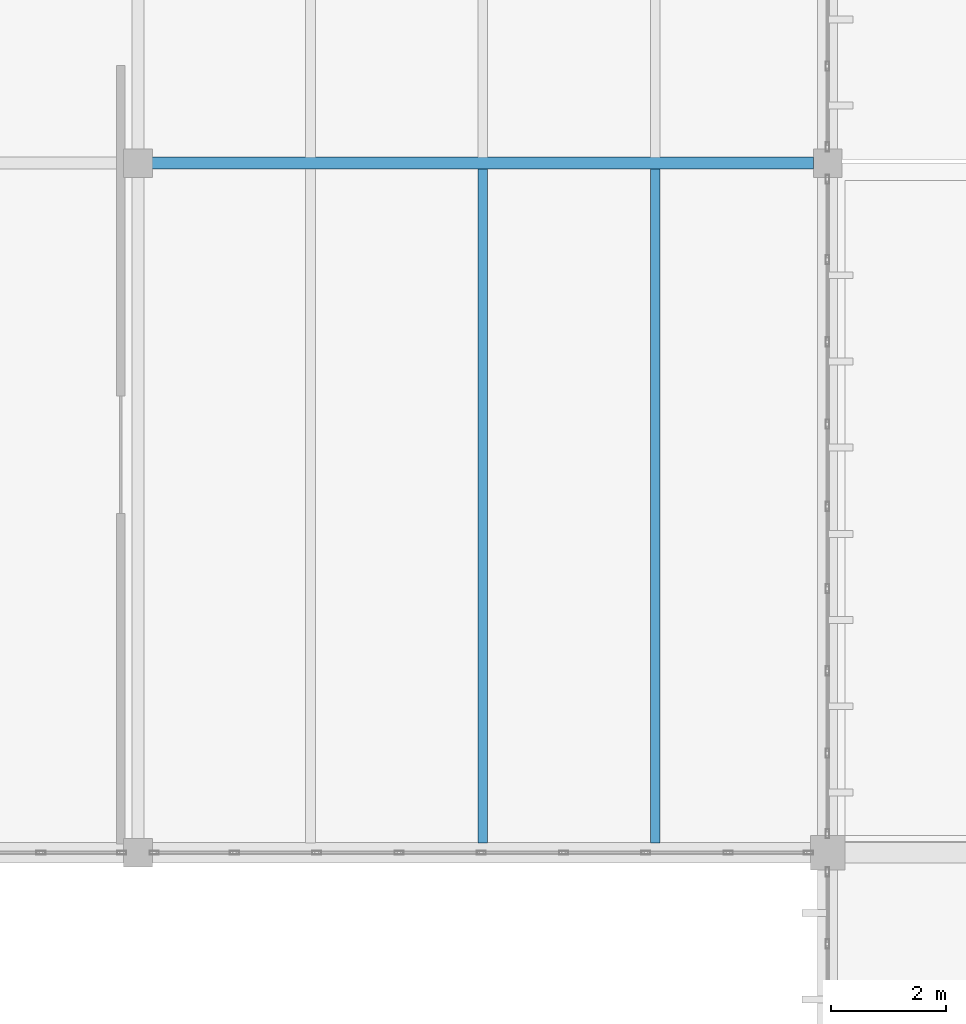
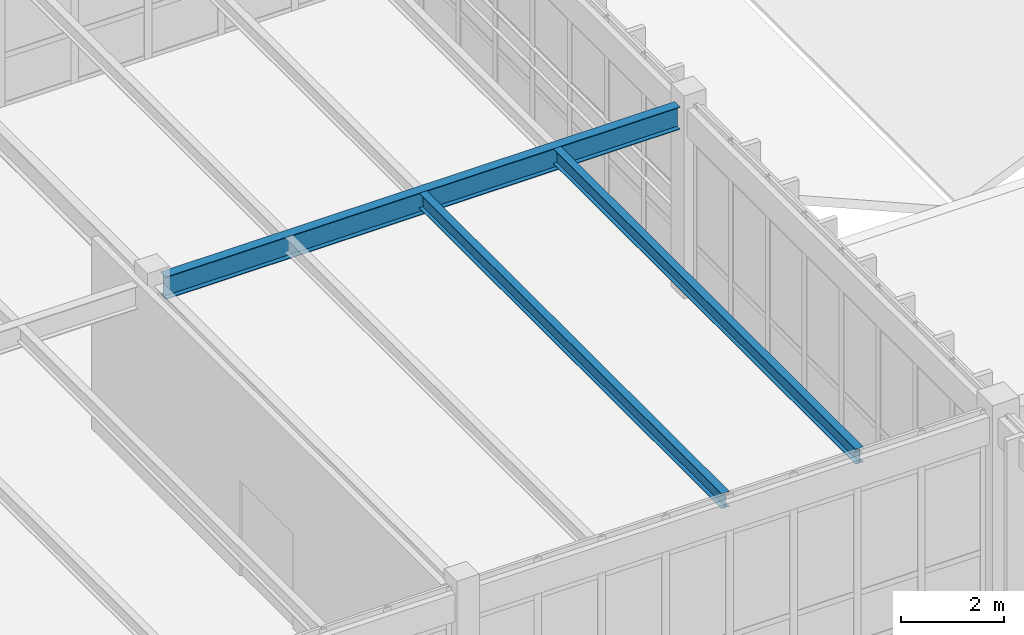
# One storey, part 173 of 236: 3 beams.
"""IFC4 building model written with IfcOpenShell, lengths in metres."""

import ifcopenshell
import ifcopenshell.guid

model = None  # the IFC model being written
_history = None  # IfcOwnerHistory: only IFC2X3 demands one
_inside = {}  # id of a spatial element -> (the spatial element, [elements in it])
_under = {}  # id of a project, library or spatial element -> (it, [spatial elements below it])
_declared = {}  # id of a project -> (the project, [libraries it declares])
_typed = {}  # id of a type object -> (the type object, [elements of that type])
_made_of = {}  # id of a material, layer set ... -> (it, [elements and type objects made of it])


def new_model(schema):
    """Start an empty IFC model of exactly this schema.

    Asked for "IFC4X3", IfcOpenShell would pick the latest addendum, in which some entities
    have other attributes; the version numbers below select the first issue.
    IFC2X3 requires an IfcOwnerHistory on every rooted entity: one is made here for all.
    """
    global model, _history
    if schema == "IFC4X3":
        model = ifcopenshell.file(schema_version=(4, 3, 0, 0))
    else:
        model = ifcopenshell.file(schema=schema)
    _inside.clear()
    _under.clear()
    _declared.clear()
    _typed.clear()
    _made_of.clear()
    _history = None
    if model.schema == "IFC2X3":
        org = make("IfcOrganization", Name="unknown")
        user = make(
            "IfcPersonAndOrganization",
            ThePerson=make("IfcPerson", FamilyName="unknown"),
            TheOrganization=org,
        )
        app = make(
            "IfcApplication",
            ApplicationDeveloper=org,
            Version="unknown",
            ApplicationFullName="unknown",
            ApplicationIdentifier="unknown",
        )
        _history = make(
            "IfcOwnerHistory",
            OwningUser=user,
            OwningApplication=app,
            ChangeAction="ADDED",
            CreationDate=0,
        )
    return model


def make(cls, **values):
    """One entity of the class cls with the attributes given. An attribute that is None is left unset."""
    return model.create_entity(
        cls, **{name: value for name, value in values.items() if value is not None}
    )


def rooted(cls, **values):
    """An entity with a GlobalId (a new one), such as an element, a storey or a relation."""
    return make(cls, GlobalId=ifcopenshell.guid.new(), OwnerHistory=_history, **values)


def si_unit(unit_type, name, prefix=None):
    """IfcSIUnit, for example si_unit("LENGTHUNIT", "METRE", prefix="MILLI")."""
    return make("IfcSIUnit", UnitType=unit_type, Prefix=prefix, Name=name)


def assignment(units):
    """IfcUnitAssignment: the units of a project."""
    return None if units is None else make("IfcUnitAssignment", Units=units)


def point(xyz):
    """IfcCartesianPoint."""
    return None if xyz is None else make("IfcCartesianPoint", Coordinates=xyz)


def direction(xyz):
    """IfcDirection."""
    return None if xyz is None else make("IfcDirection", DirectionRatios=xyz)


def frame(location, z_axis=None, x_axis=None):
    """IfcAxis2Placement3D, a coordinate frame: its origin and axes. An axis left out is left unset."""
    return make(
        "IfcAxis2Placement3D",
        Location=point(location),
        Axis=direction(z_axis),
        RefDirection=direction(x_axis),
    )


def frame_2d(location, x_axis=None):
    """IfcAxis2Placement2D, a coordinate frame in the plane: its origin and x axis."""
    return make(
        "IfcAxis2Placement2D", Location=point(location), RefDirection=direction(x_axis)
    )


def origin():
    """The frame at (0, 0, 0) with its axes left unset."""
    return frame((0.0, 0.0, 0.0))


def origin_2d():
    """The frame at (0, 0) in the plane with its x axis left unset."""
    return frame_2d((0.0, 0.0))


def place(relative_to, where):
    """IfcLocalPlacement: puts the frame where relative to a parent placement (None: the world)."""
    return make(
        "IfcLocalPlacement", PlacementRelTo=relative_to, RelativePlacement=where
    )


def context(
    kind, dimensions, precision=None, world=None, true_north=None, identifier=None
):
    """IfcGeometricRepresentationContext, for example the 3D "Model" context."""
    return make(
        "IfcGeometricRepresentationContext",
        ContextIdentifier=identifier,
        ContextType=kind,
        CoordinateSpaceDimension=dimensions,
        Precision=precision,
        WorldCoordinateSystem=world,
        TrueNorth=true_north,
    )


def subcontext(parent, identifier, kind, view, scale=None):
    """IfcGeometricRepresentationSubContext, for example "Body" below "Model"."""
    return make(
        "IfcGeometricRepresentationSubContext",
        ContextIdentifier=identifier,
        ContextType=kind,
        ParentContext=parent,
        TargetScale=scale,
        TargetView=view,
    )


def project(units=None, contexts=None):
    """IfcProject with its units and contexts."""
    return rooted(
        "IfcProject",
        Name="project",
        RepresentationContexts=contexts,
        UnitsInContext=assignment(units),
    )


def spatial(cls, under=None, at=None, **own):
    """A site, building, storey or space (cls), placed at a placement, below another one or the project."""
    s = rooted(cls, ObjectPlacement=at, **own)
    if under is not None:
        _under.setdefault(under.id(), (under, []))[1].append(s)
    return s


def profile(cls, at=None, kind="AREA", **sizes):
    """A parametric profile (cls). Its sizes go by their IFC names, for example OverallWidth=200.0."""
    return make(cls, ProfileType=kind, Position=at, **sizes)


def i_section(**sizes):
    """IfcIShapeProfileDef."""
    return profile("IfcIShapeProfileDef", **sizes)


def extrude(swept, where, along, depth):
    """IfcExtrudedAreaSolid: the profile swept, set in the frame where, extruded along a direction by depth."""
    return make(
        "IfcExtrudedAreaSolid",
        SweptArea=swept,
        Position=where,
        ExtrudedDirection=direction(along),
        Depth=depth,
    )


def shape(context_of_items, identifier, shape_type, items):
    """IfcShapeRepresentation: the items that make up one representation, for example the "Body"."""
    return make(
        "IfcShapeRepresentation",
        ContextOfItems=context_of_items,
        RepresentationIdentifier=identifier,
        RepresentationType=shape_type,
        Items=items,
    )


def material(Name=None, Category=None):
    """IfcMaterial."""
    return make("IfcMaterial", Name=Name, Category=Category)


def material_profile(
    of_material, cross_section, Name=None, Category=None, Priority=None
):
    """IfcMaterialProfile: a cross section and its material."""
    return make(
        "IfcMaterialProfile",
        Name=Name,
        Material=of_material,
        Profile=cross_section,
        Priority=Priority,
        Category=Category,
    )


def profile_set(profiles, Name=None, composite=None):
    """IfcMaterialProfileSet."""
    return make(
        "IfcMaterialProfileSet",
        Name=Name,
        MaterialProfiles=profiles,
        CompositeProfile=composite,
    )


def made_of(thing, what):
    """Note that an element or type object is made of a material, layer set ...; save() writes the relation."""
    if what is not None:
        _made_of.setdefault(what.id(), (what, []))[1].append(thing)
    return thing


def type_object(cls, material=None, **own):
    """A type object (cls), such as IfcWallType, which elements share."""
    return made_of(rooted(cls, **own), material)


def element(
    cls,
    number,
    at=None,
    inside=None,
    cuts=None,
    type_object=None,
    material=None,
    context=None,
    identifier="Body",
    shape_type=None,
    held_by="IfcProductDefinitionShape",
    body=None,
    shapes=None,
    **own,
):
    """One element of the class cls, such as IfcWall. Its Tag is "e" and its number.

    at: its placement. inside: the storey or other place that contains it. cuts: it is an
    opening in that element (IfcRelVoidsElement). A single representation is given by context,
    identifier, shape_type and body (its items); several are given by shapes. held_by: the class
    of the entity that holds the representations. save() writes the other relations.
    """
    e = rooted(cls, Tag="e%d" % number, ObjectPlacement=at, **own)
    if body is not None:
        shapes = [shape(context, identifier, shape_type, body)]
    if shapes is not None:
        e.Representation = make(held_by, Representations=shapes)
    if inside is not None:
        _inside.setdefault(inside.id(), (inside, []))[1].append(e)
    if cuts is not None:
        rooted(
            "IfcRelVoidsElement", RelatingBuildingElement=cuts, RelatedOpeningElement=e
        )
    if type_object is not None:
        _typed.setdefault(type_object.id(), (type_object, []))[1].append(e)
    return made_of(e, material)


def aggregate(whole, parts):
    """IfcRelAggregates: a whole, such as a stair, and the parts it consists of."""
    return rooted("IfcRelAggregates", RelatingObject=whole, RelatedObjects=parts)


def save(model, path):
    """Write the relations noted so far, then the file.

    IfcRelAggregates (storeys below a building ...), IfcRelContainedInSpatialStructure (elements
    in a storey), IfcRelDefinesByType, IfcRelAssociatesMaterial and IfcRelDeclares: one each for
    every whole, place, type object, material and project.
    """
    for whole, parts in _under.values():
        aggregate(whole, parts)
    for where, things in _inside.values():
        rooted(
            "IfcRelContainedInSpatialStructure",
            RelatedElements=things,
            RelatingStructure=where,
        )
    for kind, things in _typed.values():
        rooted("IfcRelDefinesByType", RelatedObjects=things, RelatingType=kind)
    for what, things in _made_of.values():
        rooted("IfcRelAssociatesMaterial", RelatedObjects=things, RelatingMaterial=what)
    for by, libraries in _declared.values():
        rooted("IfcRelDeclares", RelatingContext=by, RelatedDefinitions=libraries)
    model.write(path)


model = new_model("IFC4")

# Units and contexts
model_context = context("Model", 3, precision=1e-05, world=origin(), true_north=direction((0.0, 1.0)))
body_context = subcontext(model_context, "Body", "Model", "MODEL_VIEW")
ifc_project = project(units=[si_unit("LENGTHUNIT", "METRE"), si_unit("AREAUNIT", "SQUARE_METRE"), si_unit("VOLUMEUNIT", "CUBIC_METRE"), si_unit("PLANEANGLEUNIT", "RADIAN"), si_unit("MASSUNIT", "GRAM", prefix="KILO")], contexts=[model_context])

# Site, building, storey
site_placement = place(None, origin())
site = spatial("IfcSite", under=ifc_project, at=site_placement, CompositionType="ELEMENT")
building_placement = place(site_placement, origin())
building = spatial("IfcBuilding", under=site, at=building_placement, Name="Pandanus Reach Market Hall", CompositionType="ELEMENT")
storey_placement = place(building_placement, frame((0.0, 0.0, 5.39990234375)))
storey = spatial("IfcBuildingStorey", under=building, at=storey_placement, Name="L01", CompositionType="ELEMENT", Elevation=5.39990234375)

# Beams
ifc_material = material(Name="Steel Grade 350 (350 MPa)", Category="steel")
ifc_material_profile_1 = material_profile(ifc_material, i_section(OverallWidth=0.208984375, OverallDepth=0.532958984375, WebThickness=0.01025390625, FlangeThickness=0.015625, at=origin_2d()), Name="530UB92.4", Category="LoadBearing")
ifc_profile_set_1 = profile_set([ifc_material_profile_1], Name="Steel Grade 350 (350 MPa)")
beam_type_1 = type_object("IfcBeamType", Name="BM-UB530-I", PredefinedType="BEAM", material=ifc_profile_set_1)
beam_placement = place(storey_placement, frame((132.248046875, 108.0, 4.193115234375), z_axis=(1.0, 0.0, 0.0), x_axis=(0.0, 1.0, 0.0)))
element("IfcBeam", 1, at=beam_placement, inside=storey, type_object=beam_type_1, Name="Framing beam BM-UB530-I L01.861", PredefinedType="BEAM", context=body_context, shape_type="SweptSolid", body=[
    extrude(i_section(OverallWidth=0.208984375, OverallDepth=0.532958984375, WebThickness=0.01025390625, FlangeThickness=0.015625, at=origin_2d()), origin(), (0.0, 0.0, 1.0), 11.50390625),
])
ifc_material_profile_2 = material_profile(ifc_material, i_section(OverallWidth=0.1708984375, OverallDepth=0.35595703125, WebThickness=0.00732421875, FlangeThickness=0.011474609375, at=origin_2d()), Name="360UB50.7", Category="LoadBearing")
ifc_profile_set_2 = profile_set([ifc_material_profile_2], Name="Steel Grade 350 (350 MPa)")
beam_type_2 = type_object("IfcBeamType", Name="JS-UB360-I", PredefinedType="JOIST", material=ifc_profile_set_2)
for number, where, z_axis, x_axis, name in (
    (2, (138.0, 96.173095703125, 4.28173828125), (0.0, 1.0, 0.0), (-1.0, 0.0, 0.0), "Secondary joist JS-UB360-I L01.916"),
    (3, (141.0, 96.173095703125, 4.28173828125), (0.0, 1.0, 0.0), (-1.0, 0.0, 0.0), "Secondary joist JS-UB360-I L01.917"),
):
    element("IfcBeam", number, at=place(storey_placement, frame(where, z_axis=z_axis, x_axis=x_axis)), inside=storey, type_object=beam_type_2, Name=name, PredefinedType="JOIST", context=body_context, shape_type="SweptSolid", body=[
        extrude(i_section(OverallWidth=0.1708984375, OverallDepth=0.35595703125, WebThickness=0.00732421875, FlangeThickness=0.011474609375, at=origin_2d()), origin(), (0.0, 0.0, 1.0), 11.724365234375),
    ])

save(model, "model.ifc")
